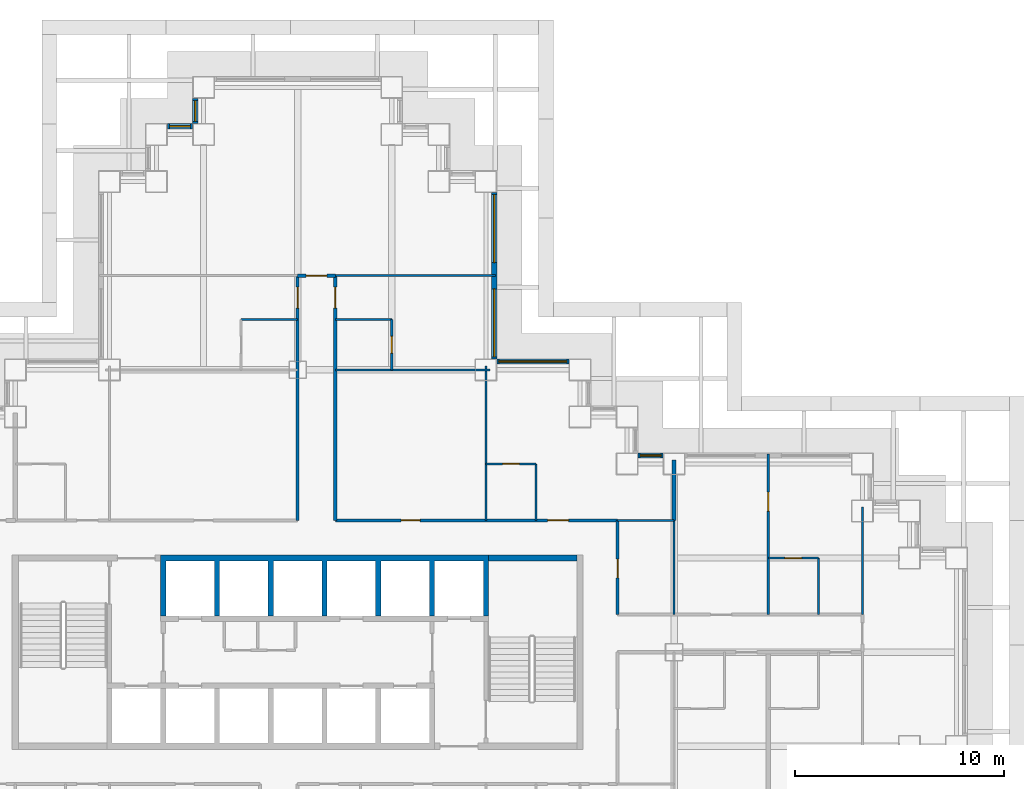
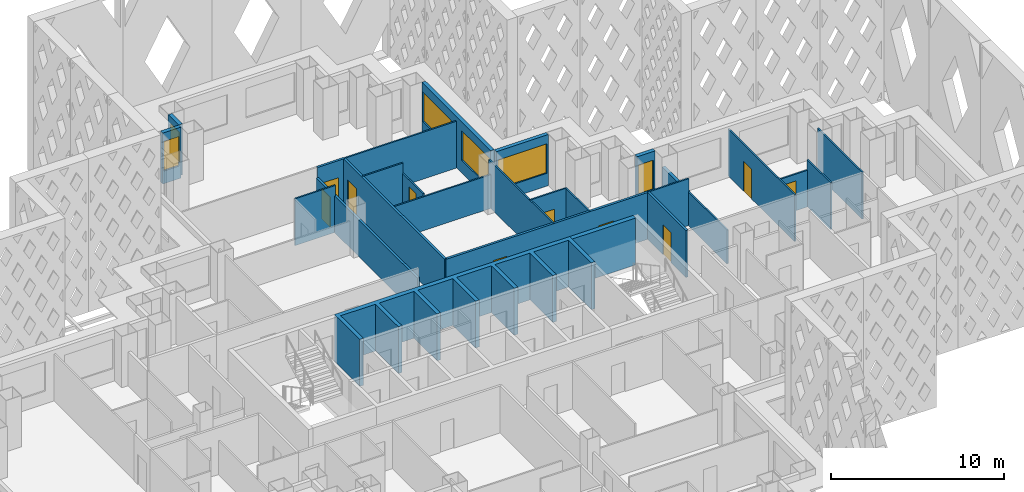
# One storey, part 8 of 19: 27 walls, 10 doors, 6 windows, 16 openings.
"""IFC4 building model written with IfcOpenShell, lengths in metres."""

from ifc_helpers import new_model, si_unit, direction, frame, frame_2d, origin, place, context, subcontext, project, spatial, polyline, rectangle, outline, extrude, material, layer, layer_set, type_object, element, fill, save


model = new_model("IFC4")

# Units and contexts
model_context = context("Model", 3, precision=1e-05, world=origin(), true_north=direction((0.0, 1.0)))
body_context = subcontext(model_context, "Body", "Model", "MODEL_VIEW")
ifc_project = project(units=[si_unit("LENGTHUNIT", "METRE"), si_unit("AREAUNIT", "SQUARE_METRE"), si_unit("VOLUMEUNIT", "CUBIC_METRE"), si_unit("PLANEANGLEUNIT", "RADIAN"), si_unit("MASSUNIT", "GRAM", prefix="KILO")], contexts=[model_context])

# Site, building, storey
site_placement = place(None, origin())
site = spatial("IfcSite", under=ifc_project, at=site_placement, CompositionType="ELEMENT")
building_placement = place(site_placement, origin())
building = spatial("IfcBuilding", under=site, at=building_placement, Name="Caravel Reach Hotel and Residences", CompositionType="ELEMENT")
storey_placement = place(building_placement, frame((0.0, 0.0, 52.800048828125)))
storey = spatial("IfcBuildingStorey", under=building, at=storey_placement, Name="L11", CompositionType="ELEMENT", Elevation=52.800048828125)

# Wall, opening, door
ifc_material_1 = material(Name="Gypsum board on steel stud", Category="steel")
ifc_layer_1 = layer(ifc_material_1, 0.10009765625)
ifc_layer_set_1 = layer_set([ifc_layer_1], Name="Bathroom pod wall 100 mm")
wall_type_1 = type_object("IfcWallType", Name="Bathroom pod wall 100 mm", PredefinedType="PARTITIONING", material=ifc_layer_set_1)
wall_1_placement = place(storey_placement, frame((54.0, 31.5, 0.0), z_axis=(0.0, 0.0, 1.0), x_axis=(1.0, 0.0, 0.0)))
wall_1 = element("IfcWall", 1, at=wall_1_placement, inside=storey, type_object=wall_type_1, Name="L11 wall w081", PredefinedType="PARTITIONING", context=body_context, shape_type="SweptSolid", body=[
    extrude(rectangle(XDim=2.39990234375, YDim=0.10009765625, at=frame_2d((1.199951171875, 0.0))), origin(), (0.0, 0.0, 1.0), 2.579833984375),
])
opening_1_placement = place(wall_1_placement, frame((0.800048828125, 0.0, 0.0)))
opening_1 = element("IfcOpeningElement", 2, at=opening_1_placement, cuts=wall_1, Name="Opening D11-026", PredefinedType="OPENING", context=body_context, shape_type="SweptSolid", body=[
    extrude(rectangle(XDim=0.800048828125, YDim=2.10009765625, at=frame_2d((0.39990234375, 1.050048828125))), frame((0.0, 0.06005859375, 0.0), z_axis=(0.0, -1.0, 0.0), x_axis=(1.0, 0.0, 0.0)), (0.0, 0.0, 1.0), 0.1201171875),
])
ifc_material_2 = material(Name="Timber and steel door leaf", Category="steel")
door_type_1 = type_object("IfcDoorType", Name="Bathroom door 800 x 2100", OperationType="SINGLE_SWING_LEFT", PredefinedType="DOOR", material=ifc_material_2)
door_1_placement = place(opening_1_placement, origin())
door_1 = element("IfcDoor", 3, at=door_1_placement, inside=storey, type_object=door_type_1, Name="door D11-026", OperationType="SINGLE_SWING_LEFT", OverallHeight=2.10009765625, OverallWidth=0.800048828125, PredefinedType="DOOR", context=body_context, shape_type="SweptSolid", body=[
    extrude(rectangle(XDim=0.800048828125, YDim=2.10009765625, at=frame_2d((0.39990234375, 1.050048828125))), frame((0.0, 0.02490234375, 0.0), z_axis=(0.0, -1.0, 0.0), x_axis=(1.0, 0.0, 0.0)), (0.0, 0.0, 1.0), 0.050048828125),
])
fill(opening_1, door_1)

wall_2_placement = place(storey_placement, frame((40.5, 36.0, 0.0), z_axis=(0.0, 0.0, 1.0), x_axis=(1.0, 0.0, 0.0)))
wall_2 = element("IfcWall", 4, at=wall_2_placement, inside=storey, type_object=wall_type_1, Name="L11 wall w083", PredefinedType="PARTITIONING", context=body_context, shape_type="SweptSolid", body=[
    extrude(rectangle(XDim=2.39990234375, YDim=0.10009765625, at=frame_2d((1.199951171875, 0.0))), origin(), (0.0, 0.0, 1.0), 3.300048828125),
])
opening_2_placement = place(wall_2_placement, frame((0.800048828125, 0.0, 0.0)))
opening_2 = element("IfcOpeningElement", 5, at=opening_2_placement, cuts=wall_2, Name="Opening D11-046", PredefinedType="OPENING", context=body_context, shape_type="SweptSolid", body=[
    extrude(rectangle(XDim=0.800048828125, YDim=2.10009765625, at=frame_2d((0.39990234375, 1.050048828125))), frame((0.0, 0.06005859375, 0.0), z_axis=(0.0, -1.0, 0.0), x_axis=(1.0, 0.0, 0.0)), (0.0, 0.0, 1.0), 0.1201171875),
])
door_2_placement = place(opening_2_placement, origin())
door_2 = element("IfcDoor", 6, at=door_2_placement, inside=storey, type_object=door_type_1, Name="door D11-046", OperationType="SINGLE_SWING_RIGHT", OverallHeight=2.10009765625, OverallWidth=0.800048828125, PredefinedType="DOOR", context=body_context, shape_type="SweptSolid", body=[
    extrude(rectangle(XDim=0.800048828125, YDim=2.10009765625, at=frame_2d((0.39990234375, 1.050048828125))), frame((0.0, 0.02490234375, 0.0), z_axis=(0.0, -1.0, 0.0), x_axis=(1.0, 0.0, 0.0)), (0.0, 0.0, 1.0), 0.050048828125),
])
fill(opening_2, door_2)

# Walls
for number, where, z_axis, x_axis, name in (
    (7, (33.300048828125, 42.89990234375, 0.0), (0.0, 0.0, 1.0), (1.0, 0.0, 0.0), "L11 wall w084"),
    (8, (28.800048828125, 42.89990234375, 0.0), (0.0, 0.0, 1.0), (1.0, 0.0, 0.0), "L11 wall w085"),
):
    element("IfcWall", number, at=place(storey_placement, frame(where, z_axis=z_axis, x_axis=x_axis)), inside=storey, type_object=wall_type_1, Name=name, PredefinedType="PARTITIONING", context=body_context, shape_type="SweptSolid", body=[
        extrude(rectangle(XDim=2.699951171875, YDim=0.10009765625, at=frame_2d((1.35009765625, 0.0))), origin(), (0.0, 0.0, 1.0), 3.300048828125),
    ])

# Wall, opening, door
wall_3_placement = place(storey_placement, frame((36.0, 40.5, 0.0), z_axis=(0.0, 0.0, 1.0), x_axis=(0.0, 1.0, 0.0)))
wall_3 = element("IfcWall", 9, at=wall_3_placement, inside=storey, type_object=wall_type_1, Name="L11 wall w096", PredefinedType="PARTITIONING", context=body_context, shape_type="SweptSolid", body=[
    extrude(rectangle(XDim=2.39990234375, YDim=0.10009765625, at=frame_2d((1.199951171875, 0.0))), origin(), (0.0, 0.0, 1.0), 2.579833984375),
])
opening_3_placement = place(wall_3_placement, frame((0.800048828125, 0.0, 0.0)))
opening_3 = element("IfcOpeningElement", 10, at=opening_3_placement, cuts=wall_3, Name="Opening D11-030", PredefinedType="OPENING", context=body_context, shape_type="SweptSolid", body=[
    extrude(rectangle(XDim=0.800048828125, YDim=2.10009765625, at=frame_2d((0.39990234375, 1.050048828125))), frame((0.0, 0.06005859375, 0.0), z_axis=(0.0, -1.0, 0.0), x_axis=(1.0, 0.0, 0.0)), (0.0, 0.0, 1.0), 0.1201171875),
])
door_3_placement = place(opening_3_placement, origin())
door_3 = element("IfcDoor", 11, at=door_3_placement, inside=storey, type_object=door_type_1, Name="door D11-030", OperationType="SINGLE_SWING_LEFT", OverallHeight=2.10009765625, OverallWidth=0.800048828125, PredefinedType="DOOR", context=body_context, shape_type="SweptSolid", body=[
    extrude(rectangle(XDim=0.800048828125, YDim=2.10009765625, at=frame_2d((0.39990234375, 1.050048828125))), frame((0.0, 0.02490234375, 0.0), z_axis=(0.0, -1.0, 0.0), x_axis=(1.0, 0.0, 0.0)), (0.0, 0.0, 1.0), 0.050048828125),
])
fill(opening_3, door_3)

# Walls
for number, where, z_axis, x_axis, name in (
    (12, (42.89990234375, 33.300048828125, 0.0), (0.0, 0.0, 1.0), (0.0, 1.0, 0.0), "L11 wall w097"),
    (13, (56.39990234375, 28.800048828125, 0.0), (0.0, 0.0, 1.0), (0.0, 1.0, 0.0), "L11 wall w101"),
):
    element("IfcWall", number, at=place(storey_placement, frame(where, z_axis=z_axis, x_axis=x_axis)), inside=storey, type_object=wall_type_1, Name=name, PredefinedType="PARTITIONING", context=body_context, shape_type="SweptSolid", body=[
        extrude(rectangle(XDim=2.699951171875, YDim=0.10009765625, at=frame_2d((1.35009765625, 0.0))), origin(), (0.0, 0.0, 1.0), 3.300048828125),
    ])
ifc_material_3 = material(Name="Concrete C60", Category="concrete")
ifc_layer_2 = layer(ifc_material_3, 0.300048828125)
ifc_layer_set_2 = layer_set([ifc_layer_2], Name="Core wall 300 mm EI 120")
wall_type_2 = type_object("IfcWallType", Name="Core wall 300 mm EI 120", PredefinedType="SHEAR", material=ifc_layer_set_2)
wall_4_placement = place(storey_placement, frame((40.625, 31.5, 0.0), z_axis=(0.0, 0.0, 1.0), x_axis=(1.0, 0.0, 0.0)))
element("IfcWall", 14, at=wall_4_placement, inside=storey, type_object=wall_type_2, Name="L11 core wall N2", PredefinedType="SHEAR", context=body_context, shape_type="SweptSolid", body=[
    extrude(rectangle(XDim=4.22509765625, YDim=0.300048828125, at=frame_2d((2.112548828125, 0.0))), origin(), (0.0, 0.0, 1.0), 3.300048828125),
])

# Wall, openings, doors
ifc_material_4 = material(Name="Gypsum board on steel stud, fire-rated", Category="steel")
ifc_layer_3 = layer(ifc_material_4, 0.14990234375)
ifc_layer_set_3 = layer_set([ifc_layer_3], Name="Corridor wall 150 mm EI 60")
wall_type_3 = type_object("IfcWallType", Name="Corridor wall 150 mm EI 60", PredefinedType="PARTITIONING", material=ifc_layer_set_3)
wall_5_placement = place(storey_placement, frame((33.300048828125, 33.300048828125, 0.0), z_axis=(0.0, 0.0, 1.0), x_axis=(1.0, 0.0, 0.0)))
wall_5 = element("IfcWall", 15, at=wall_5_placement, inside=storey, type_object=wall_type_3, Name="L11 wall w021", PredefinedType="PARTITIONING", context=body_context, shape_type="SweptSolid", body=[
    extrude(rectangle(XDim=13.5, YDim=0.14990234375, at=frame_2d((6.75, 0.0))), origin(), (0.0, 0.0, 1.0), 3.300048828125),
])
opening_4_placement = place(wall_5_placement, frame((10.14990234375, 0.0, 0.0)))
opening_4 = element("IfcOpeningElement", 16, at=opening_4_placement, cuts=wall_5, Name="Opening D11-045", PredefinedType="OPENING", context=body_context, shape_type="SweptSolid", body=[
    extrude(rectangle(XDim=1.0, YDim=2.10009765625, at=frame_2d((0.5, 1.050048828125))), frame((0.0, 0.0849609375, 0.0), z_axis=(0.0, -1.0, 0.0), x_axis=(1.0, 0.0, 0.0)), (0.0, 0.0, 1.0), 0.169921875),
])
opening_5_placement = place(wall_5_placement, frame((3.14990234375, 0.0, 0.0)))
opening_5 = element("IfcOpeningElement", 17, at=opening_5_placement, cuts=wall_5, Name="Opening D11-054", PredefinedType="OPENING", context=body_context, shape_type="SweptSolid", body=[
    extrude(rectangle(XDim=0.89990234375, YDim=2.10009765625, at=frame_2d((0.449951171875, 1.050048828125))), frame((0.0, 0.0849609375, 0.0), z_axis=(0.0, -1.0, 0.0), x_axis=(1.0, 0.0, 0.0)), (0.0, 0.0, 1.0), 0.169921875),
])
ifc_material_5 = material(Name="Timber and steel door leaf", Category="steel")
door_type_2 = type_object("IfcDoorType", Name="Door 900 x 2100 timber", OperationType="SINGLE_SWING_LEFT", PredefinedType="DOOR", material=ifc_material_5)
door_4_placement = place(opening_5_placement, origin())
door_4 = element("IfcDoor", 18, at=door_4_placement, inside=storey, type_object=door_type_2, Name="door D11-054", OperationType="SINGLE_SWING_LEFT", OverallHeight=2.10009765625, OverallWidth=0.89990234375, PredefinedType="DOOR", context=body_context, shape_type="SweptSolid", body=[
    extrude(rectangle(XDim=0.89990234375, YDim=2.10009765625, at=frame_2d((0.449951171875, 1.050048828125))), frame((0.0, 0.02490234375, 0.0), z_axis=(0.0, -1.0, 0.0), x_axis=(1.0, 0.0, 0.0)), (0.0, 0.0, 1.0), 0.050048828125),
])
fill(opening_5, door_4)
ifc_material_6 = material(Name="Steel fire door leaf", Category="steel")
door_type_3 = type_object("IfcDoorType", Name="Guest room door 1000 x 2100 EI 30", OperationType="SINGLE_SWING_LEFT", PredefinedType="DOOR", material=ifc_material_6)
door_5_placement = place(opening_4_placement, origin())
door_5 = element("IfcDoor", 19, at=door_5_placement, inside=storey, type_object=door_type_3, Name="door D11-045", OperationType="SINGLE_SWING_RIGHT", OverallHeight=2.10009765625, OverallWidth=1.0, PredefinedType="DOOR", context=body_context, shape_type="SweptSolid", body=[
    extrude(rectangle(XDim=1.0, YDim=2.10009765625, at=frame_2d((0.5, 1.050048828125))), frame((0.0, 0.02490234375, 0.0), z_axis=(0.0, -1.0, 0.0), x_axis=(1.0, 0.0, 0.0)), (0.0, 0.0, 1.0), 0.050048828125),
])
fill(opening_4, door_5)

# Wall, opening, door
wall_6_placement = place(storey_placement, frame((31.5, 45.0, 0.0), z_axis=(0.0, 0.0, 1.0), x_axis=(1.0, 0.0, 0.0)))
wall_6 = element("IfcWall", 20, at=wall_6_placement, inside=storey, type_object=wall_type_3, Name="L11 wall w023", PredefinedType="PARTITIONING", context=body_context, shape_type="SweptSolid", body=[
    extrude(rectangle(XDim=1.800048828125, YDim=0.14990234375, at=frame_2d((0.89990234375, 0.0))), origin(), (0.0, 0.0, 1.0), 3.300048828125),
])
opening_6_placement = place(wall_6_placement, frame((0.39990234375, 0.0, 0.0)))
opening_6 = element("IfcOpeningElement", 21, at=opening_6_placement, cuts=wall_6, Name="Opening D11-040", PredefinedType="OPENING", context=body_context, shape_type="SweptSolid", body=[
    extrude(rectangle(XDim=1.0, YDim=2.10009765625, at=frame_2d((0.5, 1.050048828125))), frame((0.0, 0.0849609375, 0.0), z_axis=(0.0, -1.0, 0.0), x_axis=(1.0, 0.0, 0.0)), (0.0, 0.0, 1.0), 0.169921875),
])
door_6_placement = place(opening_6_placement, origin())
door_6 = element("IfcDoor", 22, at=door_6_placement, inside=storey, type_object=door_type_3, Name="door D11-040", OperationType="SINGLE_SWING_RIGHT", OverallHeight=2.10009765625, OverallWidth=1.0, PredefinedType="DOOR", context=body_context, shape_type="SweptSolid", body=[
    extrude(rectangle(XDim=1.0, YDim=2.10009765625, at=frame_2d((0.5, 1.050048828125))), frame((0.0, 0.02490234375, 0.0), z_axis=(0.0, -1.0, 0.0), x_axis=(1.0, 0.0, 0.0)), (0.0, 0.0, 1.0), 0.050048828125),
])
fill(opening_6, door_6)

wall_7_placement = place(storey_placement, frame((31.5, 33.300048828125, 0.0), z_axis=(0.0, 0.0, 1.0), x_axis=(0.0, 1.0, 0.0)))
wall_7 = element("IfcWall", 23, at=wall_7_placement, inside=storey, type_object=wall_type_3, Name="L11 wall w030", PredefinedType="PARTITIONING", context=body_context, shape_type="SweptSolid", body=[
    extrude(rectangle(XDim=11.699951171875, YDim=0.14990234375, at=frame_2d((5.85009765625, 0.0))), origin(), (0.0, 0.0, 1.0), 2.579833984375),
])
opening_7_placement = place(wall_7_placement, frame((10.14990234375, 0.0, 0.0)))
opening_7 = element("IfcOpeningElement", 24, at=opening_7_placement, cuts=wall_7, Name="Opening D11-027", PredefinedType="OPENING", context=body_context, shape_type="SweptSolid", body=[
    extrude(rectangle(XDim=1.0, YDim=2.10009765625, at=frame_2d((0.5, 1.050048828125))), frame((0.0, 0.0849609375, 0.0), z_axis=(0.0, -1.0, 0.0), x_axis=(1.0, 0.0, 0.0)), (0.0, 0.0, 1.0), 0.169921875),
])
door_7_placement = place(opening_7_placement, origin())
door_7 = element("IfcDoor", 25, at=door_7_placement, inside=storey, type_object=door_type_3, Name="door D11-027", OperationType="SINGLE_SWING_RIGHT", OverallHeight=2.10009765625, OverallWidth=1.0, PredefinedType="DOOR", context=body_context, shape_type="SweptSolid", body=[
    extrude(rectangle(XDim=1.0, YDim=2.10009765625, at=frame_2d((0.5, 1.050048828125))), frame((0.0, 0.02490234375, 0.0), z_axis=(0.0, -1.0, 0.0), x_axis=(1.0, 0.0, 0.0)), (0.0, 0.0, 1.0), 0.050048828125),
])
fill(opening_7, door_7)

wall_8_placement = place(storey_placement, frame((33.300048828125, 33.300048828125, 0.0), z_axis=(0.0, 0.0, 1.0), x_axis=(0.0, 1.0, 0.0)))
wall_8 = element("IfcWall", 26, at=wall_8_placement, inside=storey, type_object=wall_type_3, Name="L11 wall w035", PredefinedType="PARTITIONING", context=body_context, shape_type="SweptSolid", body=[
    extrude(rectangle(XDim=11.699951171875, YDim=0.14990234375, at=frame_2d((5.85009765625, 0.0))), origin(), (0.0, 0.0, 1.0), 3.300048828125),
])
opening_8_placement = place(wall_8_placement, frame((10.14990234375, 0.0, 0.0)))
opening_8 = element("IfcOpeningElement", 27, at=opening_8_placement, cuts=wall_8, Name="Opening D11-029", PredefinedType="OPENING", context=body_context, shape_type="SweptSolid", body=[
    extrude(rectangle(XDim=1.0, YDim=2.10009765625, at=frame_2d((0.5, 1.050048828125))), frame((0.0, 0.0849609375, 0.0), z_axis=(0.0, -1.0, 0.0), x_axis=(1.0, 0.0, 0.0)), (0.0, 0.0, 1.0), 0.169921875),
])
door_8_placement = place(opening_8_placement, origin())
door_8 = element("IfcDoor", 28, at=door_8_placement, inside=storey, type_object=door_type_3, Name="door D11-029", OperationType="SINGLE_SWING_RIGHT", OverallHeight=2.10009765625, OverallWidth=1.0, PredefinedType="DOOR", context=body_context, shape_type="SweptSolid", body=[
    extrude(rectangle(XDim=1.0, YDim=2.10009765625, at=frame_2d((0.5, 1.050048828125))), frame((0.0, 0.02490234375, 0.0), z_axis=(0.0, -1.0, 0.0), x_axis=(1.0, 0.0, 0.0)), (0.0, 0.0, 1.0), 0.050048828125),
])
fill(opening_8, door_8)

wall_9_placement = place(storey_placement, frame((46.800048828125, 28.800048828125, 0.0), z_axis=(0.0, 0.0, 1.0), x_axis=(0.0, 1.0, 0.0)))
wall_9 = element("IfcWall", 29, at=wall_9_placement, inside=storey, type_object=wall_type_3, Name="L11 wall w036", PredefinedType="PARTITIONING", context=body_context, shape_type="SweptSolid", body=[
    extrude(rectangle(XDim=4.5, YDim=0.14990234375, at=frame_2d((2.25, 0.0))), origin(), (0.0, 0.0, 1.0), 3.300048828125),
])
opening_9_placement = place(wall_9_placement, frame((1.75, 0.0, 0.0)))
opening_9 = element("IfcOpeningElement", 30, at=opening_9_placement, cuts=wall_9, Name="Opening D11-061", PredefinedType="OPENING", context=body_context, shape_type="SweptSolid", body=[
    extrude(rectangle(XDim=0.89990234375, YDim=2.10009765625, at=frame_2d((0.449951171875, 1.050048828125))), frame((0.0, 0.0849609375, 0.0), z_axis=(0.0, -1.0, 0.0), x_axis=(1.0, 0.0, 0.0)), (0.0, 0.0, 1.0), 0.169921875),
])
door_9_placement = place(opening_9_placement, origin())
door_9 = element("IfcDoor", 31, at=door_9_placement, inside=storey, type_object=door_type_2, Name="door D11-061", OperationType="SINGLE_SWING_LEFT", OverallHeight=2.10009765625, OverallWidth=0.89990234375, PredefinedType="DOOR", context=body_context, shape_type="SweptSolid", body=[
    extrude(rectangle(XDim=0.89990234375, YDim=2.10009765625, at=frame_2d((0.449951171875, 1.050048828125))), frame((0.0, 0.02490234375, 0.0), z_axis=(0.0, -1.0, 0.0), x_axis=(1.0, 0.0, 0.0)), (0.0, 0.0, 1.0), 0.050048828125),
])
fill(opening_9, door_9)

# Wall, opening, window
ifc_material_7 = material(Name="Insulated rainscreen wall, aluminium cladding", Category="aluminium")
ifc_layer_4 = layer(ifc_material_7, 0.25)
ifc_layer_set_4 = layer_set([ifc_layer_4], Name="EW1 Tower rainscreen wall")
wall_type_4 = type_object("IfcWallType", Name="EW1 Tower rainscreen wall", PredefinedType="SOLIDWALL", material=ifc_layer_set_4)
wall_10_placement = place(storey_placement, frame((48.97509765625, 36.39990234375, 0.0), z_axis=(0.0, 0.0, 1.0), x_axis=(-1.0, 0.0, 0.0)))
wall_10 = element("IfcWall", 32, at=wall_10_placement, inside=storey, type_object=wall_type_4, Name="External wall L11 N25.2", PredefinedType="SOLIDWALL", context=body_context, shape_type="SweptSolid", body=[
    extrude(rectangle(XDim=1.2001953125, YDim=0.25, at=frame_2d((0.60009765625, 0.0))), origin(), (0.0, 0.0, 1.0), 3.599853515625),
])
opening_10_placement = place(wall_10_placement, frame((0.10009765625, 0.0, 0.89990234375)))
opening_10 = element("IfcOpeningElement", 33, at=opening_10_placement, cuts=wall_10, Name="Opening WN1", PredefinedType="OPENING", context=body_context, shape_type="SweptSolid", body=[
    extrude(rectangle(XDim=1.0, YDim=2.080078125, at=frame_2d((0.5, 1.0400390625))), frame((0.0, 0.135009765625, 0.0), z_axis=(0.0, -1.0, 0.0), x_axis=(1.0, 0.0, 0.0)), (0.0, 0.0, 1.0), 0.27001953125),
])
ifc_material_8 = material(Name="Dark low-e glazing in black aluminium frame", Category="aluminium")
window_type_1 = type_object("IfcWindowType", Name="Hotel suite corner window 1000 x 2080", PartitioningType="SINGLE_PANEL", PredefinedType="WINDOW", material=ifc_material_8)
window_1_placement = place(opening_10_placement, origin())
window_1 = element("IfcWindow", 34, at=window_1_placement, inside=storey, type_object=window_type_1, Name="Window L11 N25.2.1", OverallHeight=2.080078125, OverallWidth=1.0, PartitioningType="SINGLE_PANEL", PredefinedType="WINDOW", context=body_context, shape_type="SweptSolid", body=[
    extrude(rectangle(XDim=1.0, YDim=2.080078125, at=frame_2d((0.5, 1.0400390625))), frame((0.0, 0.030029296875, 0.0), z_axis=(0.0, -1.0, 0.0), x_axis=(1.0, 0.0, 0.0)), (0.0, 0.0, 1.0), 0.06005859375),
])
fill(opening_10, window_1)

wall_11_placement = place(storey_placement, frame((44.47509765625, 40.89990234375, 0.0), z_axis=(0.0, 0.0, 1.0), x_axis=(-1.0, 0.0, 0.0)))
wall_11 = element("IfcWall", 35, at=wall_11_placement, inside=storey, type_object=wall_type_4, Name="External wall L11 N29.1", PredefinedType="SOLIDWALL", context=body_context, shape_type="SweptSolid", body=[
    extrude(rectangle(XDim=3.4501953125, YDim=0.25, at=frame_2d((1.72509765625, 0.0))), origin(), (0.0, 0.0, 1.0), 3.599853515625),
])
opening_11_placement = place(wall_11_placement, frame((0.10009765625, 0.0, 0.89990234375)))
opening_11 = element("IfcOpeningElement", 36, at=opening_11_placement, cuts=wall_11, Name="Opening WN2", PredefinedType="OPENING", context=body_context, shape_type="SweptSolid", body=[
    extrude(rectangle(XDim=3.25, YDim=2.080078125, at=frame_2d((1.625, 1.0400390625))), frame((0.0, 0.135009765625, 0.0), z_axis=(0.0, -1.0, 0.0), x_axis=(1.0, 0.0, 0.0)), (0.0, 0.0, 1.0), 0.27001953125),
])
ifc_material_9 = material(Name="Dark low-e glazing in black aluminium frame", Category="aluminium")
window_type_2 = type_object("IfcWindowType", Name="Hotel guest room window 3250 x 2080", PartitioningType="SINGLE_PANEL", PredefinedType="WINDOW", material=ifc_material_9)
window_2_placement = place(opening_11_placement, origin())
window_2 = element("IfcWindow", 37, at=window_2_placement, inside=storey, type_object=window_type_2, Name="Window L11 N29.1.1", OverallHeight=2.080078125, OverallWidth=3.25, PartitioningType="SINGLE_PANEL", PredefinedType="WINDOW", context=body_context, shape_type="SweptSolid", body=[
    extrude(rectangle(XDim=3.25, YDim=2.080078125, at=frame_2d((1.625, 1.0400390625))), frame((0.0, 0.030029296875, 0.0), z_axis=(0.0, -1.0, 0.0), x_axis=(1.0, 0.0, 0.0)), (0.0, 0.0, 1.0), 0.06005859375),
])
fill(opening_11, window_2)

# Wall, openings, windows
wall_12_placement = place(storey_placement, frame((40.89990234375, 41.02490234375, 0.0), z_axis=(0.0, 0.0, 1.0), x_axis=(0.0, 1.0, 0.0)))
wall_12 = element("IfcWall", 38, at=wall_12_placement, inside=storey, type_object=wall_type_4, Name="External wall L11 E30.1", PredefinedType="SOLIDWALL", context=body_context, shape_type="SweptSolid", body=[
    extrude(rectangle(XDim=7.9501953125, YDim=0.25, at=frame_2d((3.97509765625, 0.0))), origin(), (0.0, 0.0, 1.0), 3.599853515625),
])
opening_12_placement = place(wall_12_placement, frame((0.10009765625, 0.0, 0.89990234375)))
opening_12 = element("IfcOpeningElement", 39, at=opening_12_placement, cuts=wall_12, Name="Opening WN2", PredefinedType="OPENING", context=body_context, shape_type="SweptSolid", body=[
    extrude(rectangle(XDim=3.25, YDim=2.080078125, at=frame_2d((1.625, 1.0400390625))), frame((0.0, 0.135009765625, 0.0), z_axis=(0.0, -1.0, 0.0), x_axis=(1.0, 0.0, 0.0)), (0.0, 0.0, 1.0), 0.27001953125),
])
opening_13_placement = place(wall_12_placement, frame((4.60009765625, 0.0, 0.89990234375)))
opening_13 = element("IfcOpeningElement", 40, at=opening_13_placement, cuts=wall_12, Name="Opening WN2", PredefinedType="OPENING", context=body_context, shape_type="SweptSolid", body=[
    extrude(rectangle(XDim=3.25, YDim=2.080078125, at=frame_2d((1.625, 1.0400390625))), frame((0.0, 0.135009765625, 0.0), z_axis=(0.0, -1.0, 0.0), x_axis=(1.0, 0.0, 0.0)), (0.0, 0.0, 1.0), 0.27001953125),
])
window_3_placement = place(opening_12_placement, origin())
window_3 = element("IfcWindow", 41, at=window_3_placement, inside=storey, type_object=window_type_2, Name="Window L11 E30.1.1", OverallHeight=2.080078125, OverallWidth=3.25, PartitioningType="SINGLE_PANEL", PredefinedType="WINDOW", context=body_context, shape_type="SweptSolid", body=[
    extrude(rectangle(XDim=3.25, YDim=2.080078125, at=frame_2d((1.625, 1.0400390625))), frame((0.0, 0.030029296875, 0.0), z_axis=(0.0, -1.0, 0.0), x_axis=(1.0, 0.0, 0.0)), (0.0, 0.0, 1.0), 0.06005859375),
])
fill(opening_12, window_3)
window_4_placement = place(opening_13_placement, origin())
window_4 = element("IfcWindow", 42, at=window_4_placement, inside=storey, type_object=window_type_2, Name="Window L11 E30.1.2", OverallHeight=2.080078125, OverallWidth=3.25, PartitioningType="SINGLE_PANEL", PredefinedType="WINDOW", context=body_context, shape_type="SweptSolid", body=[
    extrude(rectangle(XDim=3.25, YDim=2.080078125, at=frame_2d((1.625, 1.0400390625))), frame((0.0, 0.030029296875, 0.0), z_axis=(0.0, -1.0, 0.0), x_axis=(1.0, 0.0, 0.0)), (0.0, 0.0, 1.0), 0.06005859375),
])
fill(opening_13, window_4)

# Wall, opening, window
wall_13_placement = place(storey_placement, frame((26.60009765625, 53.47509765625, 0.0), z_axis=(0.0, 0.0, 1.0), x_axis=(0.0, -1.0, 0.0)))
wall_13 = element("IfcWall", 43, at=wall_13_placement, inside=storey, type_object=wall_type_4, Name="External wall L11 W36.1", PredefinedType="SOLIDWALL", context=body_context, shape_type="SweptSolid", body=[
    extrude(rectangle(XDim=1.2001953125, YDim=0.25, at=frame_2d((0.60009765625, 0.0))), origin(), (0.0, 0.0, 1.0), 3.599853515625),
])
opening_14_placement = place(wall_13_placement, frame((0.10009765625, 0.0, 0.89990234375)))
opening_14 = element("IfcOpeningElement", 44, at=opening_14_placement, cuts=wall_13, Name="Opening WN1", PredefinedType="OPENING", context=body_context, shape_type="SweptSolid", body=[
    extrude(rectangle(XDim=1.0, YDim=2.080078125, at=frame_2d((0.5, 1.0400390625))), frame((0.0, 0.135009765625, 0.0), z_axis=(0.0, -1.0, 0.0), x_axis=(1.0, 0.0, 0.0)), (0.0, 0.0, 1.0), 0.27001953125),
])
window_5_placement = place(opening_14_placement, origin())
window_5 = element("IfcWindow", 45, at=window_5_placement, inside=storey, type_object=window_type_1, Name="Window L11 W36.1.1", OverallHeight=2.080078125, OverallWidth=1.0, PartitioningType="SINGLE_PANEL", PredefinedType="WINDOW", context=body_context, shape_type="SweptSolid", body=[
    extrude(rectangle(XDim=1.0, YDim=2.080078125, at=frame_2d((0.5, 1.0400390625))), frame((0.0, 0.030029296875, 0.0), z_axis=(0.0, -1.0, 0.0), x_axis=(1.0, 0.0, 0.0)), (0.0, 0.0, 1.0), 0.06005859375),
])
fill(opening_14, window_5)

wall_14_placement = place(storey_placement, frame((26.47509765625, 52.14990234375, 0.0), z_axis=(0.0, 0.0, 1.0), x_axis=(-1.0, 0.0, 0.0)))
wall_14 = element("IfcWall", 46, at=wall_14_placement, inside=storey, type_object=wall_type_4, Name="External wall L11 N37.1", PredefinedType="SOLIDWALL", context=body_context, shape_type="SweptSolid", body=[
    extrude(rectangle(XDim=1.2001953125, YDim=0.25, at=frame_2d((0.60009765625, 0.0))), origin(), (0.0, 0.0, 1.0), 3.599853515625),
])
opening_15_placement = place(wall_14_placement, frame((0.10009765625, 0.0, 0.89990234375)))
opening_15 = element("IfcOpeningElement", 47, at=opening_15_placement, cuts=wall_14, Name="Opening WN1", PredefinedType="OPENING", context=body_context, shape_type="SweptSolid", body=[
    extrude(rectangle(XDim=1.0, YDim=2.080078125, at=frame_2d((0.5, 1.0400390625))), frame((0.0, 0.135009765625, 0.0), z_axis=(0.0, -1.0, 0.0), x_axis=(1.0, 0.0, 0.0)), (0.0, 0.0, 1.0), 0.27001953125),
])
window_6_placement = place(opening_15_placement, origin())
window_6 = element("IfcWindow", 48, at=window_6_placement, inside=storey, type_object=window_type_1, Name="Window L11 N37.1.1", OverallHeight=2.080078125, OverallWidth=1.0, PartitioningType="SINGLE_PANEL", PredefinedType="WINDOW", context=body_context, shape_type="SweptSolid", body=[
    extrude(rectangle(XDim=1.0, YDim=2.080078125, at=frame_2d((0.5, 1.0400390625))), frame((0.0, 0.030029296875, 0.0), z_axis=(0.0, -1.0, 0.0), x_axis=(1.0, 0.0, 0.0)), (0.0, 0.0, 1.0), 0.06005859375),
])
fill(opening_15, window_6)

# Walls
ifc_material_10 = material(Name="Gypsum board on steel stud", Category="steel")
ifc_layer_5 = layer(ifc_material_10, 0.10009765625)
ifc_layer_set_5 = layer_set([ifc_layer_5], Name="Partition 100 mm")
wall_type_5 = type_object("IfcWallType", Name="Partition 100 mm", PredefinedType="PARTITIONING", material=ifc_layer_set_5)
wall_15_placement = place(storey_placement, frame((46.800048828125, 33.300048828125, 0.0), z_axis=(0.0, 0.0, 1.0), x_axis=(1.0, 0.0, 0.0)))
element("IfcWall", 49, at=wall_15_placement, inside=storey, type_object=wall_type_5, Name="L11 wall w045", PredefinedType="PARTITIONING", context=body_context, shape_type="SweptSolid", body=[
    extrude(rectangle(XDim=2.699951171875, YDim=0.10009765625, at=frame_2d((1.35009765625, 0.0))), origin(), (0.0, 0.0, 1.0), 3.300048828125),
])
wall_16_placement = place(storey_placement, frame((33.300048828125, 40.5, 0.0), z_axis=(0.0, 0.0, 1.0), x_axis=(1.0, 0.0, 0.0)))
element("IfcWall", 50, at=wall_16_placement, inside=storey, type_object=wall_type_5, Name="L11 wall w048", PredefinedType="PARTITIONING", context=body_context, shape_type="SweptSolid", body=[
    extrude(rectangle(XDim=7.389892578125, YDim=0.10009765625, at=frame_2d((3.69482421875, 0.0))), origin(), (0.0, 0.0, 1.0), 2.3798828125),
])
wall_17_placement = place(storey_placement, frame((33.300048828125, 45.0, 0.0), z_axis=(0.0, 0.0, 1.0), x_axis=(1.0, 0.0, 0.0)))
element("IfcWall", 51, at=wall_17_placement, inside=storey, type_object=wall_type_5, Name="L11 wall w050", PredefinedType="PARTITIONING", context=body_context, shape_type="SweptSolid", body=[
    extrude(rectangle(XDim=7.6650390625, YDim=0.10009765625, at=frame_2d((3.83251953125, 0.0))), origin(), (0.0, 0.0, 1.0), 3.300048828125),
])
wall_18_placement = place(storey_placement, frame((40.5, 33.300048828125, 0.0), z_axis=(0.0, 0.0, 1.0), x_axis=(0.0, 1.0, 0.0)))
element("IfcWall", 52, at=wall_18_placement, inside=storey, type_object=wall_type_5, Name="L11 wall w060", PredefinedType="PARTITIONING", context=body_context, shape_type="SweptSolid", body=[
    extrude(rectangle(XDim=7.389892578125, YDim=0.10009765625, at=frame_2d((3.69482421875, 0.0))), origin(), (0.0, 0.0, 1.0), 3.300048828125),
])
wall_19_placement = place(storey_placement, frame((49.5, 28.800048828125, 0.0), z_axis=(0.0, 0.0, 1.0), x_axis=(0.0, 1.0, 0.0)))
element("IfcWall", 53, at=wall_19_placement, inside=storey, type_object=wall_type_5, Name="L11 wall w065", PredefinedType="PARTITIONING", context=body_context, shape_type="SweptSolid", body=[
    extrude(rectangle(XDim=4.5, YDim=0.10009765625, at=frame_2d((2.25, 0.0))), origin(), (0.0, 0.0, 1.0), 2.3798828125),
])

# Wall, opening, door
wall_20_placement = place(storey_placement, frame((54.0, 28.800048828125, 0.0), z_axis=(0.0, 0.0, 1.0), x_axis=(0.0, 1.0, 0.0)))
wall_20 = element("IfcWall", 54, at=wall_20_placement, inside=storey, type_object=wall_type_5, Name="L11 wall w066", PredefinedType="PARTITIONING", context=body_context, shape_type="SweptSolid", body=[
    extrude(rectangle(XDim=7.6650390625, YDim=0.10009765625, at=frame_2d((3.83251953125, 0.0))), origin(), (0.0, 0.0, 1.0), 3.300048828125),
])
opening_16_placement = place(wall_20_placement, frame((4.949951171875, 0.0, 0.0)))
opening_16 = element("IfcOpeningElement", 55, at=opening_16_placement, cuts=wall_20, Name="Opening D11-025", PredefinedType="OPENING", context=body_context, shape_type="SweptSolid", body=[
    extrude(rectangle(XDim=0.89990234375, YDim=2.10009765625, at=frame_2d((0.449951171875, 1.050048828125))), frame((0.0, 0.06005859375, 0.0), z_axis=(0.0, -1.0, 0.0), x_axis=(1.0, 0.0, 0.0)), (0.0, 0.0, 1.0), 0.1201171875),
])
door_10_placement = place(opening_16_placement, origin())
door_10 = element("IfcDoor", 56, at=door_10_placement, inside=storey, type_object=door_type_2, Name="door D11-025", OperationType="SINGLE_SWING_RIGHT", OverallHeight=2.10009765625, OverallWidth=0.89990234375, PredefinedType="DOOR", context=body_context, shape_type="SweptSolid", body=[
    extrude(rectangle(XDim=0.89990234375, YDim=2.10009765625, at=frame_2d((0.449951171875, 1.050048828125))), frame((0.0, 0.02490234375, 0.0), z_axis=(0.0, -1.0, 0.0), x_axis=(1.0, 0.0, 0.0)), (0.0, 0.0, 1.0), 0.050048828125),
])
fill(opening_16, door_10)

# Walls
wall_21_placement = place(storey_placement, frame((58.5, 28.800048828125, 0.0), z_axis=(0.0, 0.0, 1.0), x_axis=(0.0, 1.0, 0.0)))
element("IfcWall", 57, at=wall_21_placement, inside=storey, type_object=wall_type_5, Name="L11 wall w068", PredefinedType="PARTITIONING", context=body_context, shape_type="SweptSolid", body=[
    extrude(rectangle(XDim=5.139892578125, YDim=0.10009765625, at=frame_2d((2.56982421875, 0.0))), origin(), (0.0, 0.0, 1.0), 3.300048828125),
])
ifc_material_11 = material(Name="Autoclaved aerated block wall")
ifc_layer_6 = layer(ifc_material_11, 0.199951171875)
ifc_layer_set_6 = layer_set([ifc_layer_6], Name="Party wall 200 mm EI 60")
wall_type_6 = type_object("IfcWallType", Name="Party wall 200 mm EI 60", PredefinedType="PARTITIONING", material=ifc_layer_set_6)
wall_22_placement = place(storey_placement, frame((49.5, 33.300048828125, 0.0), z_axis=(0.0, 0.0, 1.0), x_axis=(0.0, 1.0, 0.0)))
element("IfcWall", 58, at=wall_22_placement, inside=storey, type_object=wall_type_6, Name="L11 wall w072", PredefinedType="PARTITIONING", context=body_context, shape_type="SweptSolid", body=[
    extrude(rectangle(XDim=2.889892578125, YDim=0.199951171875, at=frame_2d((1.44482421875, 0.0))), origin(), (0.0, 0.0, 1.0), 2.3798828125),
])
ifc_material_12 = material(Name="Concrete C60", Category="concrete")
ifc_layer_7 = layer(ifc_material_12, 0.25)
ifc_layer_set_7 = layer_set([ifc_layer_7], Name="Shaft wall 250 mm EI 120")
wall_type_7 = type_object("IfcWallType", Name="Shaft wall 250 mm EI 120", PredefinedType="SHEAR", material=ifc_layer_set_7)
wall_23_placement = place(storey_placement, origin())
element("IfcWall", 59, at=wall_23_placement, inside=storey, type_object=wall_type_7, Name="L11 lift shaft wall N1", PredefinedType="SHEAR", context=body_context, shape_type="SweptSolid", body=[
    extrude(outline(polyline([(24.946533203125, 28.72509765625), (25.196533203125, 28.72509765625), (25.196533203125, 31.35009765625), (27.517822265625, 31.35009765625), (27.517822265625, 28.72509765625), (27.767822265625, 28.72509765625), (27.767822265625, 31.35009765625), (30.08935546875, 31.35009765625), (30.08935546875, 28.72509765625), (30.33935546875, 28.72509765625), (30.33935546875, 31.35009765625), (32.66064453125, 31.35009765625), (32.66064453125, 28.72509765625), (32.91064453125, 28.72509765625), (32.91064453125, 31.35009765625), (35.232177734375, 31.35009765625), (35.232177734375, 28.72509765625), (35.482177734375, 28.72509765625), (35.482177734375, 31.35009765625), (37.803466796875, 31.35009765625), (37.803466796875, 28.72509765625), (38.053466796875, 28.72509765625), (38.053466796875, 31.35009765625), (40.375, 31.35009765625), (40.375, 28.72509765625), (40.625, 28.72509765625), (40.625, 31.64990234375), (24.946533203125, 31.64990234375), (24.946533203125, 28.72509765625)])), origin(), (0.0, 0.0, 1.0), 3.300048828125),
])

save(model, "model.ifc")
